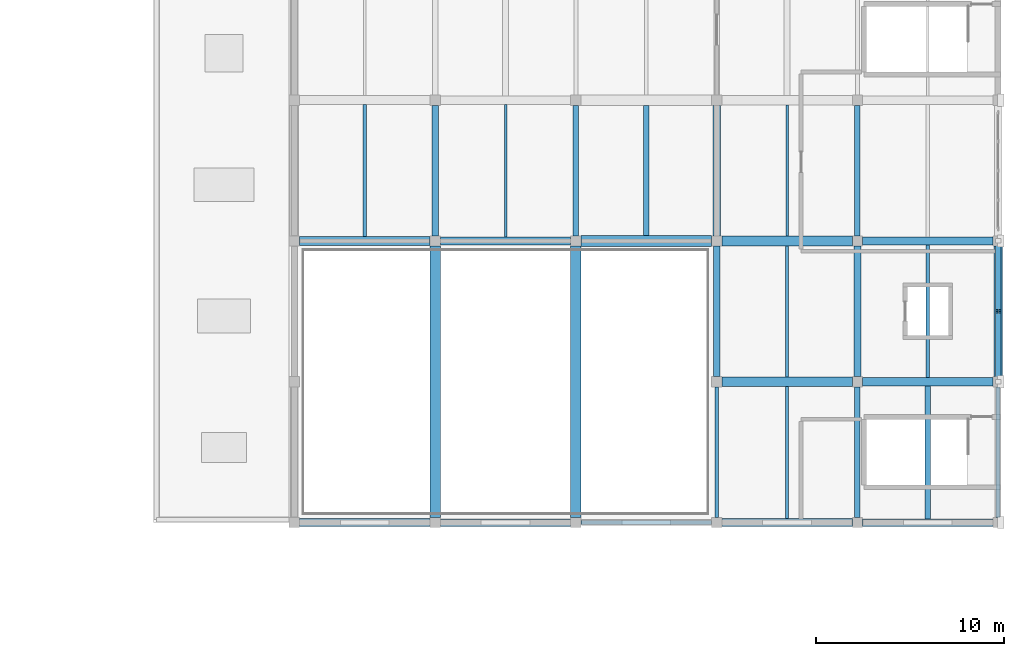
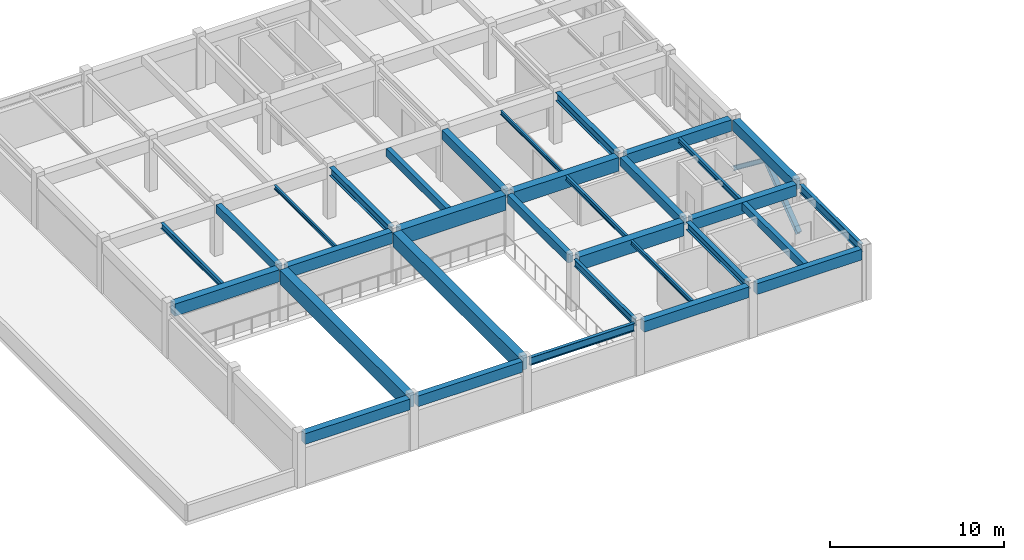
# One storey, part 57 of 101: 32 beams, 2 members.
"""IFC4 building model written with IfcOpenShell, lengths in metres."""

from ifc_helpers import new_model, si_unit, direction, frame, origin, origin_2d, place, context, subcontext, project, spatial, rectangle, i_section, extrude, material, material_profile, profile_set, type_object, element, save


model = new_model("IFC4")

# Units and contexts
model_context = context("Model", 3, precision=1e-05, world=origin(), true_north=direction((0.0, 1.0)))
body_context = subcontext(model_context, "Body", "Model", "MODEL_VIEW")
ifc_project = project(units=[si_unit("LENGTHUNIT", "METRE"), si_unit("AREAUNIT", "SQUARE_METRE"), si_unit("VOLUMEUNIT", "CUBIC_METRE"), si_unit("PLANEANGLEUNIT", "RADIAN"), si_unit("MASSUNIT", "GRAM", prefix="KILO")], contexts=[model_context])

# Site, building, storey
site_placement = place(None, origin())
site = spatial("IfcSite", under=ifc_project, at=site_placement, CompositionType="ELEMENT")
building_placement = place(site_placement, origin())
building = spatial("IfcBuilding", under=site, at=building_placement, Name="Qasida Concert Hall", CompositionType="ELEMENT")
storey_placement = place(building_placement, frame((0.0, 0.0, 13.199951171875)))
storey = spatial("IfcBuildingStorey", under=building, at=storey_placement, Name="L03", CompositionType="ELEMENT", Elevation=13.199951171875)

# Beams
ifc_material_1 = material(Name="Concrete C40/50", Category="concrete")
ifc_material_profile_1 = material_profile(ifc_material_1, rectangle(XDim=0.39990234375, YDim=0.64990234375, at=origin_2d()), Name="RC 400x650")
ifc_profile_set_1 = profile_set([ifc_material_profile_1], Name="Concrete C40/50")
beam_type_1 = type_object("IfcBeamType", Name="BM-B1", PredefinedType="BEAM", material=ifc_profile_set_1)
beam_1_placement = place(storey_placement, frame((150.0, 90.27490234375, 3.295166015625), z_axis=(0.0, 1.0, 0.0), x_axis=(-1.0, 0.0, 0.0)))
element("IfcBeam", 1, at=beam_1_placement, inside=storey, type_object=beam_type_1, Name="L03 girder 1701", PredefinedType="BEAM", context=body_context, shape_type="SweptSolid", body=[
    extrude(rectangle(XDim=0.39990234375, YDim=0.64990234375, at=origin_2d()), origin(), (0.0, 0.0, 1.0), 6.9501953125),
])
ifc_material_profile_2 = material_profile(ifc_material_1, rectangle(XDim=0.3798828125, YDim=0.6201171875, at=origin_2d()), Name="RC 380x620")
ifc_profile_set_2 = profile_set([ifc_material_profile_2], Name="Concrete C40/50")
beam_type_2 = type_object("IfcBeamType", Name="BM-B10", PredefinedType="BEAM", material=ifc_profile_set_2)
beam_2_placement = place(storey_placement, frame((157.5, 82.77490234375, 3.31005859375), z_axis=(0.0, 1.0, 0.0), x_axis=(-1.0, 0.0, 0.0)))
element("IfcBeam", 2, at=beam_2_placement, inside=storey, type_object=beam_type_2, Name="L03 girder 1705", PredefinedType="BEAM", context=body_context, shape_type="SweptSolid", body=[
    extrude(rectangle(XDim=0.3798828125, YDim=0.6201171875, at=origin_2d()), origin(), (0.0, 0.0, 1.0), 6.9501953125),
])
ifc_material_2 = material(Name="Steel S355J2", Category="steel")
ifc_material_profile_3 = material_profile(ifc_material_2, i_section(OverallWidth=0.300048828125, OverallDepth=0.550048828125, WebThickness=0.014892578125, FlangeThickness=0.029052734375, FilletRadius=0.027099609375, at=origin_2d()), Name="HEB 550")
ifc_profile_set_3 = profile_set([ifc_material_profile_3], Name="Steel S355J2")
beam_type_3 = type_object("IfcBeamType", Name="BM-B12", PredefinedType="BEAM", material=ifc_profile_set_3)
beam_3_placement = place(storey_placement, frame((157.5, 75.27490234375, 3.344970703125), z_axis=(0.0, 1.0, 0.0), x_axis=(-1.0, 0.0, 0.0)))
element("IfcBeam", 3, at=beam_3_placement, inside=storey, type_object=beam_type_3, Name="L03 girder 1704", PredefinedType="BEAM", context=body_context, shape_type="SweptSolid", body=[
    extrude(i_section(OverallWidth=0.300048828125, OverallDepth=0.550048828125, WebThickness=0.014892578125, FlangeThickness=0.029052734375, FilletRadius=0.027099609375, at=origin_2d()), origin(), (0.0, 0.0, 1.0), 6.9501953125),
])
ifc_material_profile_4 = material_profile(ifc_material_1, rectangle(XDim=0.35009765625, YDim=0.60009765625, at=origin_2d()), Name="RC 350x600")
ifc_profile_set_4 = profile_set([ifc_material_profile_4], Name="Concrete C40/50")
beam_type_4 = type_object("IfcBeamType", Name="BM-B2", PredefinedType="BEAM", material=ifc_profile_set_4)
for number, where, z_axis, x_axis, name in (
    (4, (135.0, 90.27490234375, 3.320068359375), (0.0, 1.0, 0.0), (-1.0, 0.0, 0.0), "L03 girder 1692"),
    (5, (150.0, 82.77490234375, 3.320068359375), (0.0, 1.0, 0.0), (-1.0, 0.0, 0.0), "L03 girder 1700"),
):
    element("IfcBeam", number, at=place(storey_placement, frame(where, z_axis=z_axis, x_axis=x_axis)), inside=storey, type_object=beam_type_4, Name=name, PredefinedType="BEAM", context=body_context, shape_type="SweptSolid", body=[
        extrude(rectangle(XDim=0.35009765625, YDim=0.60009765625, at=origin_2d()), origin(), (0.0, 0.0, 1.0), 6.9501953125),
    ])
ifc_material_profile_5 = material_profile(ifc_material_2, i_section(OverallWidth=0.199951171875, OverallDepth=0.5, WebThickness=0.01025390625, FlangeThickness=0.01611328125, FilletRadius=0.02099609375, at=origin_2d()), Name="IPE 500")
ifc_profile_set_5 = profile_set([ifc_material_profile_5], Name="Steel S355J2")
beam_type_5 = type_object("IfcBeamType", Name="BM-B4", PredefinedType="BEAM", material=ifc_profile_set_5)
beam_4_placement = place(storey_placement, frame((150.0, 75.27490234375, 3.3701171875), z_axis=(0.0, 1.0, 0.0), x_axis=(-1.0, 0.0, 0.0)))
element("IfcBeam", 6, at=beam_4_placement, inside=storey, type_object=beam_type_5, Name="L03 girder 1699", PredefinedType="BEAM", context=body_context, shape_type="SweptSolid", body=[
    extrude(i_section(OverallWidth=0.199951171875, OverallDepth=0.5, WebThickness=0.01025390625, FlangeThickness=0.01611328125, FilletRadius=0.02099609375, at=origin_2d()), origin(), (0.0, 0.0, 1.0), 6.9501953125),
])
ifc_material_profile_6 = material_profile(ifc_material_2, i_section(OverallWidth=0.300048828125, OverallDepth=0.60009765625, WebThickness=0.015380859375, FlangeThickness=0.030029296875, FilletRadius=0.027099609375, at=origin_2d()), Name="HEB 600")
ifc_profile_set_6 = profile_set([ifc_material_profile_6], Name="Steel S355J2")
beam_type_6 = type_object("IfcBeamType", Name="BM-B6", PredefinedType="BEAM", material=ifc_profile_set_6)
for number, where, z_axis, x_axis, name in (
    (7, (142.5, 90.27490234375, 3.320068359375), (0.0, 1.0, 0.0), (-1.0, 0.0, 0.0), "L03 girder 1696"),
    (8, (157.5, 90.27490234375, 3.320068359375), (0.0, 1.0, 0.0), (-1.0, 0.0, 0.0), "L03 girder 1706"),
):
    element("IfcBeam", number, at=place(storey_placement, frame(where, z_axis=z_axis, x_axis=x_axis)), inside=storey, type_object=beam_type_6, Name=name, PredefinedType="BEAM", context=body_context, shape_type="SweptSolid", body=[
        extrude(i_section(OverallWidth=0.300048828125, OverallDepth=0.60009765625, WebThickness=0.015380859375, FlangeThickness=0.030029296875, FilletRadius=0.027099609375, at=origin_2d()), origin(), (0.0, 0.0, 1.0), 6.9501953125),
    ])
ifc_material_profile_7 = material_profile(ifc_material_1, rectangle(XDim=0.449951171875, YDim=0.800048828125, at=origin_2d()), Name="RC 450x800")
ifc_profile_set_7 = profile_set([ifc_material_profile_7], Name="Concrete C40/50")
beam_type_7 = type_object("IfcBeamType", Name="BM-G2", PredefinedType="USERDEFINED", material=ifc_profile_set_7)
for number, where, z_axis, x_axis, name in (
    (9, (157.77490234375, 82.5, 3.219970703125), (1.0, 0.0, 0.0), (0.0, 1.0, 0.0), "Primary girder 1665"),
    (10, (135.27490234375, 90.0, 3.219970703125), (1.0, 0.0, 0.0), (0.0, 1.0, 0.0), "Primary girder 1667"),
    (11, (157.77490234375, 90.0, 3.219970703125), (1.0, 0.0, 0.0), (0.0, 1.0, 0.0), "Primary girder 1670"),
):
    element("IfcBeam", number, at=place(storey_placement, frame(where, z_axis=z_axis, x_axis=x_axis)), inside=storey, type_object=beam_type_7, Name=name, ObjectType="GIRDER", PredefinedType="USERDEFINED", context=body_context, shape_type="SweptSolid", body=[
        extrude(rectangle(XDim=0.449951171875, YDim=0.800048828125, at=origin_2d()), origin(), (0.0, 0.0, 1.0), 6.9501953125),
    ])
ifc_material_profile_8 = material_profile(ifc_material_1, rectangle(XDim=0.550048828125, YDim=1.0, at=origin_2d()), Name="RC 550x1000")
ifc_profile_set_8 = profile_set([ifc_material_profile_8], Name="Concrete C40/50")
beam_type_8 = type_object("IfcBeamType", Name="BM-G3", PredefinedType="USERDEFINED", material=ifc_profile_set_8)
for number, where, z_axis, x_axis, name in (
    (12, (135.0, 75.27490234375, 3.1201171875), (0.0, 1.0, 0.0), (-1.0, 0.0, 0.0), "L03 girder 1691"),
    (13, (142.5, 75.27490234375, 3.1201171875), (0.0, 1.0, 0.0), (-1.0, 0.0, 0.0), "L03 girder 1695"),
):
    element("IfcBeam", number, at=place(storey_placement, frame(where, z_axis=z_axis, x_axis=x_axis)), inside=storey, type_object=beam_type_8, Name=name, ObjectType="GIRDER", PredefinedType="USERDEFINED", context=body_context, shape_type="SweptSolid", body=[
        extrude(rectangle(XDim=0.550048828125, YDim=1.0, at=origin_2d()), origin(), (0.0, 0.0, 1.0), 14.4501953125),
    ])
ifc_material_profile_9 = material_profile(ifc_material_1, rectangle(XDim=0.47998046875, YDim=0.85009765625, at=origin_2d()), Name="RC 480x850")
ifc_profile_set_9 = profile_set([ifc_material_profile_9], Name="Concrete C40/50")
beam_type_9 = type_object("IfcBeamType", Name="BM-G6", PredefinedType="USERDEFINED", material=ifc_profile_set_9)
beam_5_placement = place(storey_placement, frame((127.77490234375, 90.0, 3.195068359375), z_axis=(1.0, 0.0, 0.0), x_axis=(0.0, 1.0, 0.0)))
element("IfcBeam", 14, at=beam_5_placement, inside=storey, type_object=beam_type_9, Name="Primary girder 1666", ObjectType="GIRDER", PredefinedType="USERDEFINED", context=body_context, shape_type="SweptSolid", body=[
    extrude(rectangle(XDim=0.47998046875, YDim=0.85009765625, at=origin_2d()), origin(), (0.0, 0.0, 1.0), 6.9501953125),
])
ifc_material_profile_10 = material_profile(ifc_material_1, rectangle(XDim=0.52001953125, YDim=0.949951171875, at=origin_2d()), Name="RC 520x950")
ifc_profile_set_10 = profile_set([ifc_material_profile_10], Name="Concrete C40/50")
beam_type_10 = type_object("IfcBeamType", Name="BM-G7", PredefinedType="USERDEFINED", material=ifc_profile_set_10)
for number, where, z_axis, x_axis, name in (
    (15, (150.27490234375, 82.5, 3.14501953125), (1.0, 0.0, 0.0), (0.0, 1.0, 0.0), "Primary girder 1664"),
    (16, (150.27490234375, 90.0, 3.14501953125), (1.0, 0.0, 0.0), (0.0, 1.0, 0.0), "Primary girder 1669"),
):
    element("IfcBeam", number, at=place(storey_placement, frame(where, z_axis=z_axis, x_axis=x_axis)), inside=storey, type_object=beam_type_10, Name=name, ObjectType="GIRDER", PredefinedType="USERDEFINED", context=body_context, shape_type="SweptSolid", body=[
        extrude(rectangle(XDim=0.52001953125, YDim=0.949951171875, at=origin_2d()), origin(), (0.0, 0.0, 1.0), 6.9501953125),
    ])
ifc_material_3 = material(Name="Concrete C50/60", Category="concrete")
ifc_material_profile_11 = material_profile(ifc_material_3, rectangle(XDim=0.580078125, YDim=1.050048828125, at=origin_2d()), Name="RC 580x1050")
ifc_profile_set_11 = profile_set([ifc_material_profile_11], Name="Concrete C50/60")
beam_type_11 = type_object("IfcBeamType", Name="BM-G8", PredefinedType="USERDEFINED", material=ifc_profile_set_11)
beam_6_placement = place(storey_placement, frame((142.77490234375, 90.0, 3.094970703125), z_axis=(1.0, 0.0, 0.0), x_axis=(0.0, 1.0, 0.0)))
element("IfcBeam", 17, at=beam_6_placement, inside=storey, type_object=beam_type_11, Name="Primary girder 1668", ObjectType="GIRDER", PredefinedType="USERDEFINED", context=body_context, shape_type="SweptSolid", body=[
    extrude(rectangle(XDim=0.580078125, YDim=1.050048828125, at=origin_2d()), origin(), (0.0, 0.0, 1.0), 6.9501953125),
])
ifc_material_profile_12 = material_profile(ifc_material_1, rectangle(XDim=0.300048828125, YDim=0.550048828125, at=origin_2d()), Name="RC 300x550")
ifc_profile_set_12 = profile_set([ifc_material_profile_12], Name="Concrete C40/50")
beam_type_12 = type_object("IfcBeamType", Name="BM-J1", PredefinedType="JOIST", material=ifc_profile_set_12)
beam_7_placement = place(storey_placement, frame((146.25, 90.2900390625, 3.344970703125), z_axis=(0.0, 1.0, 0.0), x_axis=(-1.0, 0.0, 0.0)))
element("IfcBeam", 18, at=beam_7_placement, inside=storey, type_object=beam_type_12, Name="L03 secondary joist 1720", PredefinedType="JOIST", context=body_context, shape_type="SweptSolid", body=[
    extrude(rectangle(XDim=0.300048828125, YDim=0.550048828125, at=origin_2d()), origin(), (0.0, 0.0, 1.0), 6.919921875),
])
beam_8_placement = place(storey_placement, frame((161.25, 75.199951171875, 3.344970703125), z_axis=(0.0, 1.0, 0.0), x_axis=(-1.0, 0.0, 0.0)))
element("IfcBeam", 19, at=beam_8_placement, inside=storey, type_object=beam_type_12, Name="L03 secondary joist 1728", PredefinedType="JOIST", context=body_context, shape_type="SweptSolid", body=[
    extrude(rectangle(XDim=0.300048828125, YDim=0.550048828125, at=origin_2d()), origin(), (0.0, 0.0, 1.0), 7.074951171875),
])
ifc_material_profile_13 = material_profile(ifc_material_2, i_section(OverallWidth=0.169921875, OverallDepth=0.360107421875, WebThickness=0.008056640625, FlangeThickness=0.0126953125, FilletRadius=0.01806640625, at=origin_2d()), Name="IPE 360")
ifc_profile_set_13 = profile_set([ifc_material_profile_13], Name="Steel S355J2")
beam_type_13 = type_object("IfcBeamType", Name="BM-J2", PredefinedType="JOIST", material=ifc_profile_set_13)
beam_9_placement = place(storey_placement, frame((161.25, 82.72509765625, 3.43994140625), z_axis=(0.0, 1.0, 0.0), x_axis=(-1.0, 0.0, 0.0)))
element("IfcBeam", 20, at=beam_9_placement, inside=storey, type_object=beam_type_13, Name="L03 secondary joist 1729", PredefinedType="JOIST", context=body_context, shape_type="SweptSolid", body=[
    extrude(i_section(OverallWidth=0.169921875, OverallDepth=0.360107421875, WebThickness=0.008056640625, FlangeThickness=0.0126953125, FilletRadius=0.01806640625, at=origin_2d()), origin(), (0.0, 0.0, 1.0), 7.0498046875),
])
ifc_material_profile_14 = material_profile(ifc_material_2, i_section(OverallWidth=0.179931640625, OverallDepth=0.39990234375, WebThickness=0.008544921875, FlangeThickness=0.013427734375, FilletRadius=0.02099609375, at=origin_2d()), Name="IPE 400")
ifc_profile_set_14 = profile_set([ifc_material_profile_14], Name="Steel S355J2")
beam_type_14 = type_object("IfcBeamType", Name="BM-J3", PredefinedType="JOIST", material=ifc_profile_set_14)
beam_10_placement = place(storey_placement, frame((131.25, 90.239990234375, 3.420166015625), z_axis=(0.0, 1.0, 0.0), x_axis=(-1.0, 0.0, 0.0)))
element("IfcBeam", 21, at=beam_10_placement, inside=storey, type_object=beam_type_14, Name="L03 secondary joist 1714", PredefinedType="JOIST", context=body_context, shape_type="SweptSolid", body=[
    extrude(i_section(OverallWidth=0.179931640625, OverallDepth=0.39990234375, WebThickness=0.008544921875, FlangeThickness=0.013427734375, FilletRadius=0.02099609375, at=origin_2d()), origin(), (0.0, 0.0, 1.0), 7.02001953125),
])
ifc_material_profile_15 = material_profile(ifc_material_2, i_section(OverallWidth=0.14990234375, OverallDepth=0.300048828125, WebThickness=0.007080078125, FlangeThickness=0.0107421875, FilletRadius=0.014892578125, at=origin_2d()), Name="IPE 300")
ifc_profile_set_15 = profile_set([ifc_material_profile_15], Name="Steel S355J2")
beam_type_15 = type_object("IfcBeamType", Name="BM-J4", PredefinedType="JOIST", material=ifc_profile_set_15)
beam_11_placement = place(storey_placement, frame((153.75, 75.22509765625, 3.469970703125), z_axis=(0.0, 1.0, 0.0), x_axis=(-1.0, 0.0, 0.0)))
element("IfcBeam", 22, at=beam_11_placement, inside=storey, type_object=beam_type_15, Name="L03 secondary joist 1723", PredefinedType="JOIST", context=body_context, shape_type="SweptSolid", body=[
    extrude(i_section(OverallWidth=0.14990234375, OverallDepth=0.300048828125, WebThickness=0.007080078125, FlangeThickness=0.0107421875, FilletRadius=0.014892578125, at=origin_2d()), origin(), (0.0, 0.0, 1.0), 7.014892578125),
])
ifc_material_profile_16 = material_profile(ifc_material_2, i_section(OverallWidth=0.159912109375, OverallDepth=0.330078125, WebThickness=0.007568359375, FlangeThickness=0.011474609375, FilletRadius=0.01806640625, at=origin_2d()), Name="IPE 330")
ifc_profile_set_16 = profile_set([ifc_material_profile_16], Name="Steel S355J2")
beam_type_16 = type_object("IfcBeamType", Name="BM-J5", PredefinedType="JOIST", material=ifc_profile_set_16)
beam_12_placement = place(storey_placement, frame((153.75, 82.760009765625, 3.455078125), z_axis=(0.0, 1.0, 0.0), x_axis=(-1.0, 0.0, 0.0)))
element("IfcBeam", 23, at=beam_12_placement, inside=storey, type_object=beam_type_16, Name="L03 secondary joist 1724", PredefinedType="JOIST", context=body_context, shape_type="SweptSolid", body=[
    extrude(i_section(OverallWidth=0.159912109375, OverallDepth=0.330078125, WebThickness=0.007568359375, FlangeThickness=0.011474609375, FilletRadius=0.01806640625, at=origin_2d()), origin(), (0.0, 0.0, 1.0), 6.97998046875),
])
ifc_material_profile_17 = material_profile(ifc_material_2, i_section(OverallWidth=0.135009765625, OverallDepth=0.27001953125, WebThickness=0.006591796875, FlangeThickness=0.01025390625, FilletRadius=0.014892578125, at=origin_2d()), Name="IPE 270")
ifc_profile_set_17 = profile_set([ifc_material_profile_17], Name="Steel S355J2")
beam_type_17 = type_object("IfcBeamType", Name="BM-J6", PredefinedType="JOIST", material=ifc_profile_set_17)
beam_13_placement = place(storey_placement, frame((138.75, 90.22509765625, 3.485107421875), z_axis=(0.0, 1.0, 0.0), x_axis=(-1.0, 0.0, 0.0)))
element("IfcBeam", 24, at=beam_13_placement, inside=storey, type_object=beam_type_17, Name="L03 secondary joist 1717", PredefinedType="JOIST", context=body_context, shape_type="SweptSolid", body=[
    extrude(i_section(OverallWidth=0.135009765625, OverallDepth=0.27001953125, WebThickness=0.006591796875, FlangeThickness=0.01025390625, FilletRadius=0.014892578125, at=origin_2d()), origin(), (0.0, 0.0, 1.0), 7.0498046875),
])
beam_14_placement = place(storey_placement, frame((153.75, 90.260009765625, 3.485107421875), z_axis=(0.0, 1.0, 0.0), x_axis=(-1.0, 0.0, 0.0)))
element("IfcBeam", 25, at=beam_14_placement, inside=storey, type_object=beam_type_17, Name="L03 secondary joist 1725", PredefinedType="JOIST", context=body_context, shape_type="SweptSolid", body=[
    extrude(i_section(OverallWidth=0.135009765625, OverallDepth=0.27001953125, WebThickness=0.006591796875, FlangeThickness=0.01025390625, FilletRadius=0.014892578125, at=origin_2d()), origin(), (0.0, 0.0, 1.0), 6.97998046875),
])
ifc_material_profile_18 = material_profile(ifc_material_1, rectangle(XDim=0.39990234375, YDim=0.75, at=origin_2d()), Name="RC 400x750")
ifc_profile_set_18 = profile_set([ifc_material_profile_18], Name="Concrete C40/50")
beam_type_18 = type_object("IfcBeamType", Name="BM-SP1", PredefinedType="SPANDREL", material=ifc_profile_set_18)
for number, where, z_axis, x_axis, name in (
    (26, (135.27490234375, 75.0, 3.2451171875), (1.0, 0.0, 0.0), (0.0, 1.0, 0.0), "Primary girder 1660"),
    (27, (157.77490234375, 75.0, 3.2451171875), (1.0, 0.0, 0.0), (0.0, 1.0, 0.0), "Primary girder 1663"),
):
    element("IfcBeam", number, at=place(storey_placement, frame(where, z_axis=z_axis, x_axis=x_axis)), inside=storey, type_object=beam_type_18, Name=name, PredefinedType="SPANDREL", context=body_context, shape_type="SweptSolid", body=[
        extrude(rectangle(XDim=0.39990234375, YDim=0.75, at=origin_2d()), origin(), (0.0, 0.0, 1.0), 6.9501953125),
    ])
ifc_material_profile_19 = material_profile(ifc_material_2, i_section(OverallWidth=0.2099609375, OverallDepth=0.550048828125, WebThickness=0.010986328125, FlangeThickness=0.01708984375, FilletRadius=0.02392578125, at=origin_2d()), Name="IPE 550")
ifc_profile_set_19 = profile_set([ifc_material_profile_19], Name="Steel S355J2")
beam_type_19 = type_object("IfcBeamType", Name="BM-SP2", PredefinedType="SPANDREL", material=ifc_profile_set_19)
beam_15_placement = place(storey_placement, frame((142.77490234375, 75.0, 3.344970703125), z_axis=(1.0, 0.0, 0.0), x_axis=(0.0, 1.0, 0.0)))
element("IfcBeam", 28, at=beam_15_placement, inside=storey, type_object=beam_type_19, Name="Primary girder 1661", PredefinedType="SPANDREL", context=body_context, shape_type="SweptSolid", body=[
    extrude(i_section(OverallWidth=0.2099609375, OverallDepth=0.550048828125, WebThickness=0.010986328125, FlangeThickness=0.01708984375, FilletRadius=0.02392578125, at=origin_2d()), origin(), (0.0, 0.0, 1.0), 6.9501953125),
])
ifc_material_profile_20 = material_profile(ifc_material_2, i_section(OverallWidth=0.219970703125, OverallDepth=0.60009765625, WebThickness=0.011962890625, FlangeThickness=0.01904296875, FilletRadius=0.02392578125, at=origin_2d()), Name="IPE 600")
ifc_profile_set_20 = profile_set([ifc_material_profile_20], Name="Steel S355J2")
beam_type_20 = type_object("IfcBeamType", Name="BM-SP3", PredefinedType="SPANDREL", material=ifc_profile_set_20)
beam_16_placement = place(storey_placement, frame((165.0, 75.27490234375, 3.320068359375), z_axis=(0.0, 1.0, 0.0), x_axis=(-1.0, 0.0, 0.0)))
element("IfcBeam", 29, at=beam_16_placement, inside=storey, type_object=beam_type_20, Name="L03 girder 1709", PredefinedType="SPANDREL", context=body_context, shape_type="SweptSolid", body=[
    extrude(i_section(OverallWidth=0.219970703125, OverallDepth=0.60009765625, WebThickness=0.011962890625, FlangeThickness=0.01904296875, FilletRadius=0.02392578125, at=origin_2d()), origin(), (0.0, 0.0, 1.0), 6.9501953125),
])
ifc_material_profile_21 = material_profile(ifc_material_1, rectangle(XDim=0.449951171875, YDim=0.75, at=origin_2d()), Name="RC 450x750")
ifc_profile_set_21 = profile_set([ifc_material_profile_21], Name="Concrete C40/50")
beam_type_21 = type_object("IfcBeamType", Name="BM-SP4", PredefinedType="SPANDREL", material=ifc_profile_set_21)
for number, where, z_axis, x_axis, name in (
    (30, (127.77490234375, 75.0, 3.2451171875), (1.0, 0.0, 0.0), (0.0, 1.0, 0.0), "Primary girder 1659"),
    (31, (150.27490234375, 75.0, 3.2451171875), (1.0, 0.0, 0.0), (0.0, 1.0, 0.0), "Primary girder 1662"),
    (32, (165.0, 82.77490234375, 3.2451171875), (0.0, 1.0, 0.0), (-1.0, 0.0, 0.0), "L03 girder 1710"),
):
    element("IfcBeam", number, at=place(storey_placement, frame(where, z_axis=z_axis, x_axis=x_axis)), inside=storey, type_object=beam_type_21, Name=name, PredefinedType="SPANDREL", context=body_context, shape_type="SweptSolid", body=[
        extrude(rectangle(XDim=0.449951171875, YDim=0.75, at=origin_2d()), origin(), (0.0, 0.0, 1.0), 6.9501953125),
    ])

# Members
ifc_material_profile_22 = material_profile(ifc_material_2, i_section(OverallWidth=0.300048828125, OverallDepth=0.300048828125, WebThickness=0.010986328125, FlangeThickness=0.01904296875, FilletRadius=0.027099609375, at=origin_2d()), Name="HEB 300")
ifc_profile_set_22 = profile_set([ifc_material_profile_22], Name="Steel S355J2")
member_type = type_object("IfcMemberType", Name="MB-BR4", PredefinedType="BRACE", material=ifc_profile_set_22)
for number, where, z_axis, x_axis, name in (
    (33, (165.0, 82.5, 0.0), (0.0, 0.794105362147, 0.607780119623), (-1.0, 0.0, 0.0), "L03 chevron brace CBF-0055"),
    (34, (165.0, 90.0, 0.0), (0.0, -0.794105362147, 0.607780119623), (1.0, 0.0, 0.0), "L03 chevron brace CBF-0056"),
):
    element("IfcMember", number, at=place(storey_placement, frame(where, z_axis=z_axis, x_axis=x_axis)), inside=storey, type_object=member_type, Name=name, PredefinedType="BRACE", context=body_context, shape_type="SweptSolid", body=[
        extrude(i_section(OverallWidth=0.300048828125, OverallDepth=0.300048828125, WebThickness=0.010986328125, FlangeThickness=0.01904296875, FilletRadius=0.027099609375, at=origin_2d()), origin(), (0.0, 0.0, 1.0), 4.722412109375),
    ])

save(model, "model.ifc")
